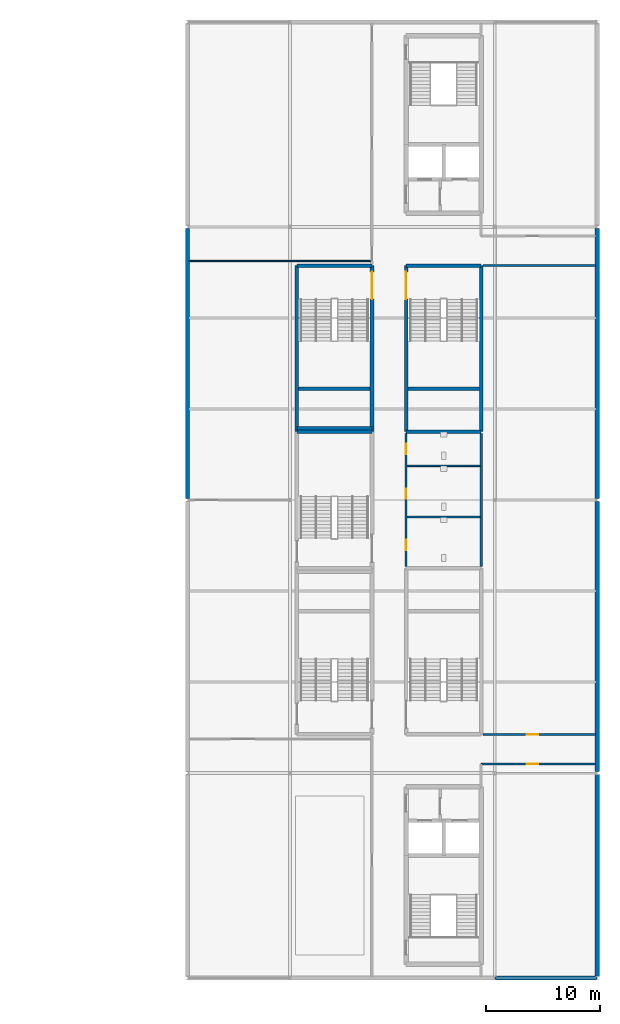
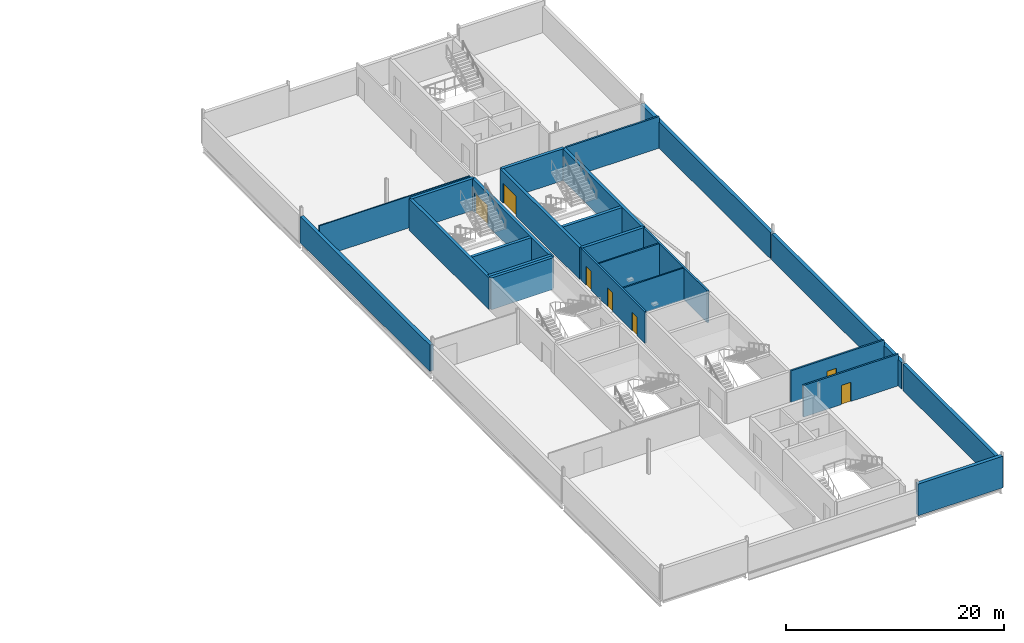
# One storey, part 18 of 30: 24 walls, 7 doors, 7 openings.
"""IFC4 building model written with IfcOpenShell, lengths in metres."""

from ifc_helpers import new_model, si_unit, direction, frame, frame_2d, origin, place, context, subcontext, project, spatial, rectangle, extrude, material, layer, layer_set, type_object, element, fill, save


model = new_model("IFC4")

# Units and contexts
model_context = context("Model", 3, precision=1e-05, world=origin(), true_north=direction((0.0, 1.0)))
body_context = subcontext(model_context, "Body", "Model", "MODEL_VIEW")
ifc_project = project(units=[si_unit("LENGTHUNIT", "METRE"), si_unit("AREAUNIT", "SQUARE_METRE"), si_unit("VOLUMEUNIT", "CUBIC_METRE"), si_unit("PLANEANGLEUNIT", "RADIAN"), si_unit("MASSUNIT", "GRAM", prefix="KILO")], contexts=[model_context])

# Site, building, storey
site_placement = place(None, origin())
site = spatial("IfcSite", under=ifc_project, at=site_placement, CompositionType="ELEMENT")
building_placement = place(site_placement, origin())
building = spatial("IfcBuilding", under=site, at=building_placement, Name="Kisiwana Market Hall", CompositionType="ELEMENT")
storey_placement = place(building_placement, frame((0.0, 0.0, 54.0)))
storey = spatial("IfcBuildingStorey", under=building, at=storey_placement, Name="L12", CompositionType="ELEMENT", Elevation=54.0)

# Wall
ifc_material_1 = material(Name="Masonry blockwork", Category="masonry")
ifc_layer_1 = layer(ifc_material_1, 0.199951171875, Name="Plastered fire compartment block wall")
ifc_layer_set_1 = layer_set([ifc_layer_1], Name="WL-COMP-200")
wall_type_1 = type_object("IfcWallType", Name="WL-COMP-200", PredefinedType="PARTITIONING", material=ifc_layer_set_1)
wall_1_placement = place(storey_placement, frame((187.800048828125, 54.159912109375, 0.0), z_axis=(0.0, 0.0, 1.0), x_axis=(0.0, 1.0, 0.0)))
element("IfcWall", 1, at=wall_1_placement, inside=storey, type_object=wall_type_1, Name="Interior partition W-3032", PredefinedType="PARTITIONING", context=body_context, shape_type="SweptSolid", body=[
    extrude(rectangle(XDim=11.68017578125, YDim=0.199951171875, at=frame_2d((5.840087890625, 0.0))), origin(), (0.0, 0.0, 1.0), 3.544921875),
])

# Wall, openings, doors
wall_2_placement = place(storey_placement, frame((181.199951171875, 54.159912109375, 0.0), z_axis=(0.0, 0.0, 1.0), x_axis=(0.0, 1.0, 0.0)))
wall_2 = element("IfcWall", 2, at=wall_2_placement, inside=storey, type_object=wall_type_1, Name="Interior partition W-3033", PredefinedType="PARTITIONING", context=body_context, shape_type="SweptSolid", body=[
    extrude(rectangle(XDim=11.68017578125, YDim=0.199951171875, at=frame_2d((5.840087890625, 0.0))), origin(), (0.0, 0.0, 1.0), 3.544921875),
])
opening_1_placement = place(wall_2_placement, frame((1.43994140625, 0.0, 0.0)))
opening_1 = element("IfcOpeningElement", 3, at=opening_1_placement, cuts=wall_2, Name="Opening DR-L12-039", PredefinedType="OPENING", context=body_context, shape_type="SweptSolid", body=[
    extrude(rectangle(XDim=0.89990234375, YDim=2.10009765625, at=frame_2d((0.449951171875, 1.050048828125))), frame((0.0, 0.11181640625, 0.0), z_axis=(0.0, -1.0, 0.0), x_axis=(1.0, 0.0, 0.0)), (0.0, 0.0, 1.0), 0.223876953125),
])
opening_2_placement = place(wall_2_placement, frame((5.93994140625, 0.0, 0.0)))
opening_2 = element("IfcOpeningElement", 4, at=opening_2_placement, cuts=wall_2, Name="Opening DR-L12-040", PredefinedType="OPENING", context=body_context, shape_type="SweptSolid", body=[
    extrude(rectangle(XDim=0.89990234375, YDim=2.10009765625, at=frame_2d((0.449951171875, 1.050048828125))), frame((0.0, 0.11181640625, 0.0), z_axis=(0.0, -1.0, 0.0), x_axis=(1.0, 0.0, 0.0)), (0.0, 0.0, 1.0), 0.223876953125),
])
opening_3_placement = place(wall_2_placement, frame((9.840087890625, 0.0, 0.0)))
opening_3 = element("IfcOpeningElement", 5, at=opening_3_placement, cuts=wall_2, Name="Opening DR-L12-041", PredefinedType="OPENING", context=body_context, shape_type="SweptSolid", body=[
    extrude(rectangle(XDim=0.949951171875, YDim=2.10009765625, at=frame_2d((0.47509765625, 1.050048828125))), frame((0.0, 0.11181640625, 0.0), z_axis=(0.0, -1.0, 0.0), x_axis=(1.0, 0.0, 0.0)), (0.0, 0.0, 1.0), 0.223876953125),
])
ifc_material_2 = material(Name="Aluminium alloy 6063-T6", Category="aluminium")
door_type_1 = type_object("IfcDoorType", Name="DR-WC-ACC-950", OperationType="NOTDEFINED", PredefinedType="DOOR", material=ifc_material_2)
door_1_placement = place(opening_3_placement, frame((0.949951171875, 0.0, 0.0), z_axis=(0.0, 0.0, 1.0), x_axis=(-1.0, 0.0, 0.0)))
door_1 = element("IfcDoor", 6, at=door_1_placement, inside=storey, type_object=door_type_1, Name="L12 E Accessible WC Door", OperationType="SINGLE_SWING_LEFT", OverallHeight=2.10009765625, OverallWidth=0.949951171875, PredefinedType="DOOR", context=body_context, shape_type="SweptSolid", body=[
    extrude(rectangle(XDim=0.949951171875, YDim=2.10009765625, at=frame_2d((0.47509765625, 1.050048828125))), frame((0.0, 0.02490234375, 0.0), z_axis=(0.0, -1.0, 0.0), x_axis=(1.0, 0.0, 0.0)), (0.0, 0.0, 1.0), 0.050048828125),
])
fill(opening_3, door_1)
ifc_material_3 = material(Name="Aluminium alloy 6063-T6", Category="aluminium")
door_type_2 = type_object("IfcDoorType", Name="DR-WC-STD-900", OperationType="NOTDEFINED", PredefinedType="DOOR", material=ifc_material_3)
door_2_placement = place(opening_1_placement, frame((0.89990234375, 0.0, 0.0), z_axis=(0.0, 0.0, 1.0), x_axis=(-1.0, 0.0, 0.0)))
door_2 = element("IfcDoor", 7, at=door_2_placement, inside=storey, type_object=door_type_2, Name="L12 E Male Toilet Door", OperationType="SINGLE_SWING_RIGHT", OverallHeight=2.10009765625, OverallWidth=0.89990234375, PredefinedType="DOOR", context=body_context, shape_type="SweptSolid", body=[
    extrude(rectangle(XDim=0.89990234375, YDim=2.10009765625, at=frame_2d((0.449951171875, 1.050048828125))), frame((0.0, 0.02490234375, 0.0), z_axis=(0.0, -1.0, 0.0), x_axis=(1.0, 0.0, 0.0)), (0.0, 0.0, 1.0), 0.050048828125),
])
fill(opening_1, door_2)
door_3_placement = place(opening_2_placement, frame((0.89990234375, 0.0, 0.0), z_axis=(0.0, 0.0, 1.0), x_axis=(-1.0, 0.0, 0.0)))
door_3 = element("IfcDoor", 8, at=door_3_placement, inside=storey, type_object=door_type_2, Name="L12 E Female Toilet Door", OperationType="SINGLE_SWING_LEFT", OverallHeight=2.10009765625, OverallWidth=0.89990234375, PredefinedType="DOOR", context=body_context, shape_type="SweptSolid", body=[
    extrude(rectangle(XDim=0.89990234375, YDim=2.10009765625, at=frame_2d((0.449951171875, 1.050048828125))), frame((0.0, 0.02490234375, 0.0), z_axis=(0.0, -1.0, 0.0), x_axis=(1.0, 0.0, 0.0)), (0.0, 0.0, 1.0), 0.050048828125),
])
fill(opening_2, door_3)

# Walls
ifc_material_4 = material(Name="Concrete C40/50", Category="concrete")
ifc_layer_2 = layer(ifc_material_4, 0.320068359375, Name="Reinforced concrete shaft wall")
ifc_layer_set_2 = layer_set([ifc_layer_2], Name="WL-CORE-320")
wall_type_2 = type_object("IfcWallType", Name="WL-CORE-320", PredefinedType="SHEAR", material=ifc_layer_set_2)
for number, where, z_axis, x_axis, name in (
    (9, (181.199951171875, 66.0, 0.0), (0.0, 0.0, 1.0), (1.0, 0.0, 0.0), "Core E4 south shear wall W-2950"),
    (10, (181.199951171875, 80.60009765625, 0.0), (0.0, 0.0, 1.0), (1.0, 0.0, 0.0), "Core E4 north shear wall W-2951"),
):
    element("IfcWall", number, at=place(storey_placement, frame(where, z_axis=z_axis, x_axis=x_axis)), inside=storey, type_object=wall_type_2, Name=name, PredefinedType="SHEAR", context=body_context, shape_type="SweptSolid", body=[
        extrude(rectangle(XDim=6.60009765625, YDim=0.320068359375, at=frame_2d((3.300048828125, 0.0))), origin(), (0.0, 0.0, 1.0), 3.544921875),
    ])

# Wall, opening, door
wall_3_placement = place(storey_placement, frame((181.199951171875, 66.0, 0.0), z_axis=(0.0, 0.0, 1.0), x_axis=(0.0, 1.0, 0.0)))
wall_3 = element("IfcWall", 11, at=wall_3_placement, inside=storey, type_object=wall_type_2, Name="Core E4 corridor shear wall W-2952", PredefinedType="SHEAR", context=body_context, shape_type="SweptSolid", body=[
    extrude(rectangle(XDim=14.60009765625, YDim=0.320068359375, at=frame_2d((7.300048828125, 0.0))), origin(), (0.0, 0.0, 1.0), 3.544921875),
])
opening_4_placement = place(wall_3_placement, frame((11.64990234375, 0.0, 0.0)))
opening_4 = element("IfcOpeningElement", 12, at=opening_4_placement, cuts=wall_3, Name="Opening DR-L12-016", PredefinedType="OPENING", context=body_context, shape_type="SweptSolid", body=[
    extrude(rectangle(XDim=2.39990234375, YDim=2.25, at=frame_2d((1.199951171875, 1.125))), frame((0.0, 0.171875, 0.0), z_axis=(0.0, -1.0, 0.0), x_axis=(1.0, 0.0, 0.0)), (0.0, 0.0, 1.0), 0.343994140625),
])
ifc_material_5 = material(Name="Steel S275", Category="steel")
door_type_3 = type_object("IfcDoorType", Name="DR-STAIR-FD120-2400", OperationType="DOUBLE_DOOR_SINGLE_SWING", PredefinedType="DOOR", material=ifc_material_5)
door_4_placement = place(opening_4_placement, frame((2.39990234375, 0.0, 0.0), z_axis=(0.0, 0.0, 1.0), x_axis=(-1.0, 0.0, 0.0)))
door_4 = element("IfcDoor", 13, at=door_4_placement, inside=storey, type_object=door_type_3, Name="Escape Stair E4 Fire Door (L12)", OperationType="DOUBLE_DOOR_SINGLE_SWING", OverallHeight=2.25, OverallWidth=2.39990234375, PredefinedType="DOOR", context=body_context, shape_type="SweptSolid", body=[
    extrude(rectangle(XDim=2.39990234375, YDim=2.25, at=frame_2d((1.199951171875, 1.125))), frame((0.0, 0.02490234375, 0.0), z_axis=(0.0, -1.0, 0.0), x_axis=(1.0, 0.0, 0.0)), (0.0, 0.0, 1.0), 0.050048828125),
])
fill(opening_4, door_4)

# Walls
wall_4_placement = place(storey_placement, frame((187.800048828125, 66.0, 0.0), z_axis=(0.0, 0.0, 1.0), x_axis=(0.0, 1.0, 0.0)))
element("IfcWall", 14, at=wall_4_placement, inside=storey, type_object=wall_type_2, Name="Core E4 outer shear wall W-2953", PredefinedType="SHEAR", context=body_context, shape_type="SweptSolid", body=[
    extrude(rectangle(XDim=14.60009765625, YDim=0.320068359375, at=frame_2d((7.300048828125, 0.0))), origin(), (0.0, 0.0, 1.0), 3.544921875),
])
wall_5_placement = place(storey_placement, frame((181.360107421875, 69.780029296875, 0.0), z_axis=(0.0, 0.0, 1.0), x_axis=(1.0, 0.0, 0.0)))
element("IfcWall", 15, at=wall_5_placement, inside=storey, type_object=wall_type_2, Name="Core E4 riser divider shear wall W-2954", PredefinedType="SHEAR", context=body_context, shape_type="SweptSolid", body=[
    extrude(rectangle(XDim=6.27978515625, YDim=0.320068359375, at=frame_2d((3.139892578125, 0.0))), origin(), (0.0, 0.0, 1.0), 3.544921875),
])
for number, where, z_axis, x_axis, name in (
    (16, (171.60009765625, 66.0, 0.0), (0.0, 0.0, 1.0), (1.0, 0.0, 0.0), "Core E8 south shear wall W-2970"),
    (17, (171.60009765625, 80.60009765625, 0.0), (0.0, 0.0, 1.0), (1.0, 0.0, 0.0), "Core E8 north shear wall W-2971"),
):
    element("IfcWall", number, at=place(storey_placement, frame(where, z_axis=z_axis, x_axis=x_axis)), inside=storey, type_object=wall_type_2, Name=name, PredefinedType="SHEAR", context=body_context, shape_type="SweptSolid", body=[
        extrude(rectangle(XDim=6.599853515625, YDim=0.320068359375, at=frame_2d((3.2998046875, 0.0))), origin(), (0.0, 0.0, 1.0), 3.544921875),
    ])
wall_6_placement = place(storey_placement, frame((171.60009765625, 66.0, 0.0), z_axis=(0.0, 0.0, 1.0), x_axis=(0.0, 1.0, 0.0)))
element("IfcWall", 18, at=wall_6_placement, inside=storey, type_object=wall_type_2, Name="Core E8 outer shear wall W-2972", PredefinedType="SHEAR", context=body_context, shape_type="SweptSolid", body=[
    extrude(rectangle(XDim=14.60009765625, YDim=0.320068359375, at=frame_2d((7.300048828125, 0.0))), origin(), (0.0, 0.0, 1.0), 3.544921875),
])

# Wall, opening, door
wall_7_placement = place(storey_placement, frame((178.199951171875, 66.0, 0.0), z_axis=(0.0, 0.0, 1.0), x_axis=(0.0, 1.0, 0.0)))
wall_7 = element("IfcWall", 19, at=wall_7_placement, inside=storey, type_object=wall_type_2, Name="Core E8 corridor shear wall W-2973", PredefinedType="SHEAR", context=body_context, shape_type="SweptSolid", body=[
    extrude(rectangle(XDim=14.60009765625, YDim=0.320068359375, at=frame_2d((7.300048828125, 0.0))), origin(), (0.0, 0.0, 1.0), 3.544921875),
])
opening_5_placement = place(wall_7_placement, frame((11.64990234375, 0.0, 0.0)))
opening_5 = element("IfcOpeningElement", 20, at=opening_5_placement, cuts=wall_7, Name="Opening DR-L12-022", PredefinedType="OPENING", context=body_context, shape_type="SweptSolid", body=[
    extrude(rectangle(XDim=2.39990234375, YDim=2.25, at=frame_2d((1.199951171875, 1.125))), frame((0.0, 0.171875, 0.0), z_axis=(0.0, -1.0, 0.0), x_axis=(1.0, 0.0, 0.0)), (0.0, 0.0, 1.0), 0.343994140625),
])
door_5_placement = place(opening_5_placement, origin())
door_5 = element("IfcDoor", 21, at=door_5_placement, inside=storey, type_object=door_type_3, Name="Escape Stair E8 Fire Door (L12)", OperationType="DOUBLE_DOOR_SINGLE_SWING", OverallHeight=2.25, OverallWidth=2.39990234375, PredefinedType="DOOR", context=body_context, shape_type="SweptSolid", body=[
    extrude(rectangle(XDim=2.39990234375, YDim=2.25, at=frame_2d((1.199951171875, 1.125))), frame((0.0, 0.02490234375, 0.0), z_axis=(0.0, -1.0, 0.0), x_axis=(1.0, 0.0, 0.0)), (0.0, 0.0, 1.0), 0.050048828125),
])
fill(opening_5, door_5)

# Walls
wall_8_placement = place(storey_placement, frame((171.760009765625, 69.780029296875, 0.0), z_axis=(0.0, 0.0, 1.0), x_axis=(1.0, 0.0, 0.0)))
element("IfcWall", 22, at=wall_8_placement, inside=storey, type_object=wall_type_2, Name="Core E8 riser divider shear wall W-2974", PredefinedType="SHEAR", context=body_context, shape_type="SweptSolid", body=[
    extrude(rectangle(XDim=6.280029296875, YDim=0.320068359375, at=frame_2d((3.14013671875, 0.0))), origin(), (0.0, 0.0, 1.0), 3.544921875),
])
wall_9_placement = place(storey_placement, frame((171.60009765625, 66.320068359375, 0.0), z_axis=(0.0, 0.0, 1.0), x_axis=(1.0, 0.0, 0.0)))
element("IfcWall", 23, at=wall_9_placement, inside=storey, type_object=wall_type_2, Name="Core E5 north shear wall W-2980", PredefinedType="SHEAR", context=body_context, shape_type="SweptSolid", body=[
    extrude(rectangle(XDim=6.599853515625, YDim=0.320068359375, at=frame_2d((3.2998046875, 0.0))), origin(), (0.0, 0.0, 1.0), 3.544921875),
])
ifc_material_6 = material(Name="Concrete C40/50 precast", Category="concrete")
ifc_layer_3 = layer(ifc_material_6, 0.364990234375)
ifc_layer_set_3 = layer_set([ifc_layer_3], Name="WL-EXT-365")
wall_type_3 = type_object("IfcWallType", Name="WL-EXT-365", PredefinedType="STANDARD", material=ifc_layer_set_3)
wall_10_placement = place(storey_placement, frame((189.010009765625, 18.0, 0.0), z_axis=(0.0, 0.0, 1.0), x_axis=(1.0, 0.0, 0.0)))
element("IfcWall", 24, at=wall_10_placement, inside=storey, type_object=wall_type_3, Name="Exterior wall W-2988", PredefinedType="STANDARD", context=body_context, shape_type="SweptSolid", body=[
    extrude(rectangle(XDim=8.97998046875, YDim=0.364990234375, at=frame_2d((4.489990234375, 0.0))), origin(), (0.0, 0.0, 1.0), 3.544921875),
])
wall_11_placement = place(storey_placement, frame((162.0, 60.131591796875, 0.0), z_axis=(0.0, 0.0, 1.0), x_axis=(0.0, 1.0, 0.0)))
element("IfcWall", 25, at=wall_11_placement, inside=storey, type_object=wall_type_3, Name="Exterior wall W-3005", PredefinedType="STANDARD", context=body_context, shape_type="SweptSolid", body=[
    extrude(rectangle(XDim=23.73681640625, YDim=0.364990234375, at=frame_2d((11.868408203125, 0.0))), origin(), (0.0, 0.0, 1.0), 2.932861328125),
])
wall_12_placement = place(storey_placement, frame((198.0, 18.131591796875, 0.0), z_axis=(0.0, 0.0, 1.0), x_axis=(0.0, 1.0, 0.0)))
element("IfcWall", 26, at=wall_12_placement, inside=storey, type_object=wall_type_3, Name="Exterior wall W-3007", PredefinedType="STANDARD", context=body_context, shape_type="SweptSolid", body=[
    extrude(rectangle(XDim=17.73681640625, YDim=0.364990234375, at=frame_2d((8.868408203125, 0.0))), origin(), (0.0, 0.0, 1.0), 2.932861328125),
])
for number, where, z_axis, x_axis, name in (
    (27, (198.0, 36.131591796875, 0.0), (0.0, 0.0, 1.0), (0.0, 1.0, 0.0), "Exterior wall W-3008"),
    (28, (198.0, 60.131591796875, 0.0), (0.0, 0.0, 1.0), (0.0, 1.0, 0.0), "Exterior wall W-3009"),
):
    element("IfcWall", number, at=place(storey_placement, frame(where, z_axis=z_axis, x_axis=x_axis)), inside=storey, type_object=wall_type_3, Name=name, PredefinedType="STANDARD", context=body_context, shape_type="SweptSolid", body=[
        extrude(rectangle(XDim=23.73681640625, YDim=0.364990234375, at=frame_2d((11.868408203125, 0.0))), origin(), (0.0, 0.0, 1.0), 2.932861328125),
    ])
ifc_material_7 = material(Name="Gypsum plasterboard")
ifc_layer_4 = layer(ifc_material_7, 0.125, Name="Double gypsum board + acoustic stud")
ifc_layer_set_4 = layer_set([ifc_layer_4], Name="WL-OFF-125")
wall_type_4 = type_object("IfcWallType", Name="WL-OFF-125", PredefinedType="PARTITIONING", material=ifc_layer_set_4)
wall_13_placement = place(storey_placement, frame((162.14501953125, 81.0, 0.0), z_axis=(0.0, 0.0, 1.0), x_axis=(1.0, 0.0, 0.0)))
element("IfcWall", 29, at=wall_13_placement, inside=storey, type_object=wall_type_4, Name="Interior partition W-3046", PredefinedType="PARTITIONING", context=body_context, shape_type="SweptSolid", body=[
    extrude(rectangle(XDim=15.969970703125, YDim=0.125, at=frame_2d((7.98486328125, 0.0))), origin(), (0.0, 0.0, 1.0), 3.544921875),
])

# Wall, opening, door
ifc_material_8 = material(Name="Concrete C32/40", Category="concrete")
ifc_layer_5 = layer(ifc_material_8, 0.18505859375)
ifc_layer_set_5 = layer_set([ifc_layer_5], Name="WL-PART-185")
wall_type_5 = type_object("IfcWallType", Name="WL-PART-185", PredefinedType="PARTITIONING", material=ifc_layer_set_5)
wall_14_placement = place(storey_placement, frame((187.800048828125, 36.800048828125, 0.0), z_axis=(0.0, 0.0, 1.0), x_axis=(1.0, 0.0, 0.0)))
wall_14 = element("IfcWall", 30, at=wall_14_placement, inside=storey, type_object=wall_type_5, Name="Interior partition W-3040", PredefinedType="PARTITIONING", context=body_context, shape_type="SweptSolid", body=[
    extrude(rectangle(XDim=10.054931640625, YDim=0.18505859375, at=frame_2d((5.02734375, 0.0))), origin(), (0.0, 0.0, 1.0), 3.544921875),
])
opening_6_placement = place(wall_14_placement, frame((4.0, 0.0, 0.0)))
opening_6 = element("IfcOpeningElement", 31, at=opening_6_placement, cuts=wall_14, Name="Opening DR-L12-042", PredefinedType="OPENING", context=body_context, shape_type="SweptSolid", body=[
    extrude(rectangle(XDim=1.0, YDim=2.14990234375, at=frame_2d((0.5, 1.074951171875))), frame((0.0, 0.1044921875, 0.0), z_axis=(0.0, -1.0, 0.0), x_axis=(1.0, 0.0, 0.0)), (0.0, 0.0, 1.0), 0.208984375),
])
ifc_material_9 = material(Name="Aluminium alloy 6063-T6", Category="aluminium")
door_type_4 = type_object("IfcDoorType", Name="DR-OFF-1000", OperationType="NOTDEFINED", PredefinedType="DOOR", material=ifc_material_9)
door_6_placement = place(opening_6_placement, frame((1.0, 0.0, 0.0), z_axis=(0.0, 0.0, 1.0), x_axis=(-1.0, 0.0, 0.0)))
door_6 = element("IfcDoor", 32, at=door_6_placement, inside=storey, type_object=door_type_4, Name="L12 E Commercial Office South Door", OperationType="SINGLE_SWING_RIGHT", OverallHeight=2.14990234375, OverallWidth=1.0, PredefinedType="DOOR", context=body_context, shape_type="SweptSolid", body=[
    extrude(rectangle(XDim=1.0, YDim=2.14990234375, at=frame_2d((0.5, 1.074951171875))), frame((0.0, 0.02490234375, 0.0), z_axis=(0.0, -1.0, 0.0), x_axis=(1.0, 0.0, 0.0)), (0.0, 0.0, 1.0), 0.050048828125),
])
fill(opening_6, door_6)

wall_15_placement = place(storey_placement, frame((187.9599609375, 39.39990234375, 0.0), z_axis=(0.0, 0.0, 1.0), x_axis=(1.0, 0.0, 0.0)))
wall_15 = element("IfcWall", 33, at=wall_15_placement, inside=storey, type_object=wall_type_5, Name="Interior partition W-3041", PredefinedType="PARTITIONING", context=body_context, shape_type="SweptSolid", body=[
    extrude(rectangle(XDim=9.89501953125, YDim=0.18505859375, at=frame_2d((4.947509765625, 0.0))), origin(), (0.0, 0.0, 1.0), 3.544921875),
])
opening_7_placement = place(wall_15_placement, frame((3.840087890625, 0.0, 0.0)))
opening_7 = element("IfcOpeningElement", 34, at=opening_7_placement, cuts=wall_15, Name="Opening DR-L12-043", PredefinedType="OPENING", context=body_context, shape_type="SweptSolid", body=[
    extrude(rectangle(XDim=1.0, YDim=2.14990234375, at=frame_2d((0.5, 1.074951171875))), frame((0.0, 0.1044921875, 0.0), z_axis=(0.0, -1.0, 0.0), x_axis=(1.0, 0.0, 0.0)), (0.0, 0.0, 1.0), 0.208984375),
])
door_7_placement = place(opening_7_placement, origin())
door_7 = element("IfcDoor", 35, at=door_7_placement, inside=storey, type_object=door_type_4, Name="L12 E Commercial Office Central Door", OperationType="SINGLE_SWING_LEFT", OverallHeight=2.14990234375, OverallWidth=1.0, PredefinedType="DOOR", context=body_context, shape_type="SweptSolid", body=[
    extrude(rectangle(XDim=1.0, YDim=2.14990234375, at=frame_2d((0.5, 1.074951171875))), frame((0.0, 0.02490234375, 0.0), z_axis=(0.0, -1.0, 0.0), x_axis=(1.0, 0.0, 0.0)), (0.0, 0.0, 1.0), 0.050048828125),
])
fill(opening_7, door_7)

# Walls
wall_16_placement = place(storey_placement, frame((187.9599609375, 80.60009765625, 0.0), z_axis=(0.0, 0.0, 1.0), x_axis=(1.0, 0.0, 0.0)))
element("IfcWall", 36, at=wall_16_placement, inside=storey, type_object=wall_type_5, Name="Interior partition W-3042", PredefinedType="PARTITIONING", context=body_context, shape_type="SweptSolid", body=[
    extrude(rectangle(XDim=9.89501953125, YDim=0.18505859375, at=frame_2d((4.947509765625, 0.0))), origin(), (0.0, 0.0, 1.0), 3.544921875),
])
ifc_material_10 = material(Name="Masonry blockwork", Category="masonry")
ifc_layer_6 = layer(ifc_material_10, 0.14990234375, Name="Water-resistant sanitary block wall")
ifc_layer_set_6 = layer_set([ifc_layer_6], Name="WL-WET-150")
wall_type_6 = type_object("IfcWallType", Name="WL-WET-150", PredefinedType="PARTITIONING", material=ifc_layer_set_6)
for number, where, z_axis, x_axis, name in (
    (37, (181.284912109375, 58.5, 0.0), (0.0, 0.0, 1.0), (1.0, 0.0, 0.0), "Interior partition W-3034"),
    (38, (181.284912109375, 63.0, 0.0), (0.0, 0.0, 1.0), (1.0, 0.0, 0.0), "Interior partition W-3035"),
):
    element("IfcWall", number, at=place(storey_placement, frame(where, z_axis=z_axis, x_axis=x_axis)), inside=storey, type_object=wall_type_6, Name=name, PredefinedType="PARTITIONING", context=body_context, shape_type="SweptSolid", body=[
        extrude(rectangle(XDim=6.43017578125, YDim=0.14990234375, at=frame_2d((3.215087890625, 0.0))), origin(), (0.0, 0.0, 1.0), 3.544921875),
    ])

save(model, "model.ifc")
